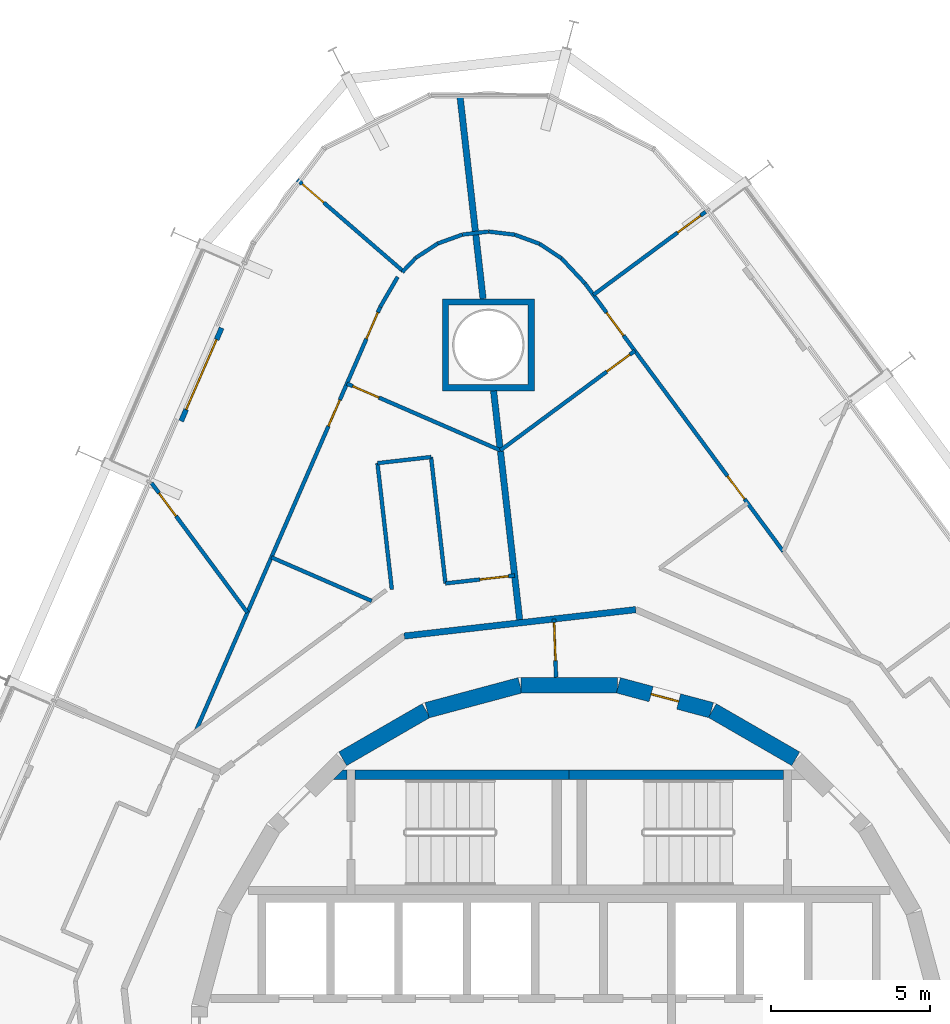
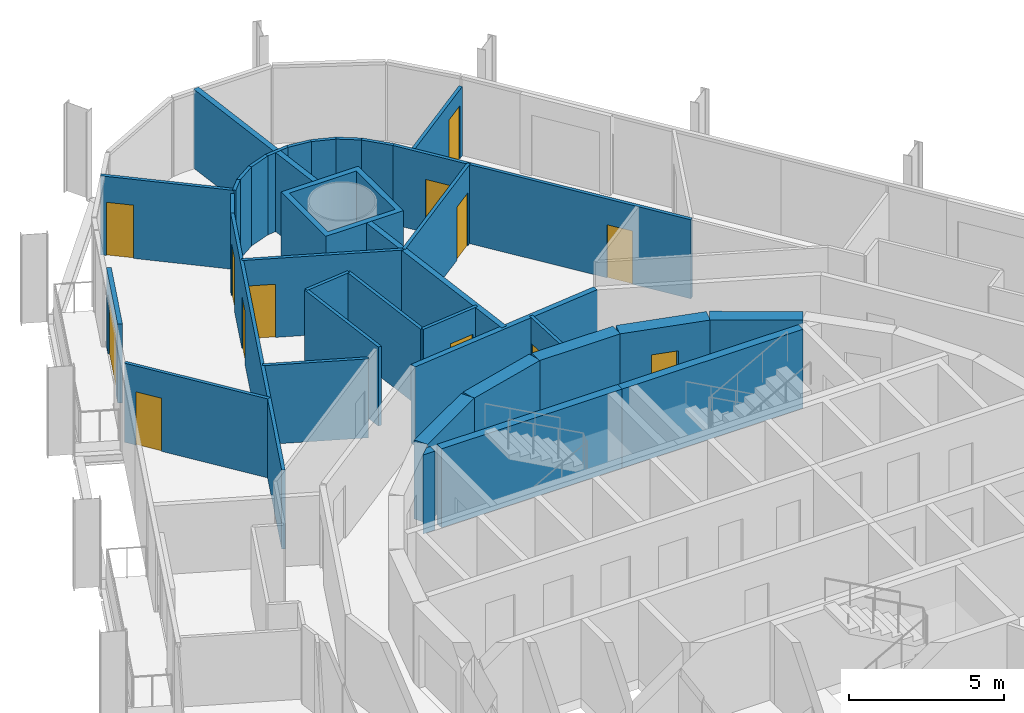
# One storey, part 21 of 24: 35 walls, 13 doors, 13 openings.
"""IFC4 building model written with IfcOpenShell, lengths in metres."""

from ifc_helpers import new_model, si_unit, direction, frame, frame_2d, origin, place, context, subcontext, project, spatial, polyline, rectangle, outline, extrude, material, layer, layer_set, type_object, element, fill, save


model = new_model("IFC4")

# Units and contexts
model_context = context("Model", 3, precision=1e-05, world=origin(), true_north=direction((0.0, 1.0)))
body_context = subcontext(model_context, "Body", "Model", "MODEL_VIEW")
ifc_project = project(units=[si_unit("LENGTHUNIT", "METRE"), si_unit("AREAUNIT", "SQUARE_METRE"), si_unit("VOLUMEUNIT", "CUBIC_METRE"), si_unit("PLANEANGLEUNIT", "RADIAN"), si_unit("MASSUNIT", "GRAM", prefix="KILO")], contexts=[model_context])

# Site, building, storey
site_placement = place(None, origin())
site = spatial("IfcSite", under=ifc_project, at=site_placement, CompositionType="ELEMENT")
building_placement = place(site_placement, origin())
building = spatial("IfcBuilding", under=site, at=building_placement, Name="Spindle Arch Residences", CompositionType="ELEMENT")
storey_placement = place(building_placement, frame((0.0, 0.0, 87.199951171875)))
storey = spatial("IfcBuildingStorey", under=building, at=storey_placement, Name="L20", CompositionType="ELEMENT", Elevation=87.199951171875)

# Wall
ifc_material_1 = material(Name="Concrete C50/60", Category="concrete")
ifc_layer_1 = layer(ifc_material_1, 0.5)
ifc_layer_set_1 = layer_set([ifc_layer_1], Name="Core outline wall 500")
wall_type_1 = type_object("IfcWallType", Name="Core outline wall 500", PredefinedType="SHEAR", material=ifc_layer_set_1)
wall_1_placement = place(storey_placement, frame((7.13671875, 9.32861328125, 0.0), z_axis=(0.0, 0.0, 1.0), x_axis=(-0.865975092491, 0.500087131594, 0.0)))
element("IfcWall", 1, at=wall_1_placement, inside=storey, type_object=wall_type_1, Name="Core outline wall 10", PredefinedType="SHEAR", context=body_context, shape_type="SweptSolid", body=[
    extrude(rectangle(XDim=3.03271484375, YDim=0.5, at=frame_2d((1.516357421875, 0.0))), origin(), (0.0, 0.0, 1.0), 3.1201171875),
])

# Wall, opening, door
wall_2_placement = place(storey_placement, frame((4.479248046875, 10.858154296875, 0.0), z_axis=(0.0, 0.0, 1.0), x_axis=(-0.965948410781, 0.258734743916, 0.0)))
wall_2 = element("IfcWall", 2, at=wall_2_placement, inside=storey, type_object=wall_type_1, Name="Core outline wall 11", PredefinedType="SHEAR", context=body_context, shape_type="SweptSolid", body=[
    extrude(rectangle(XDim=3.03271484375, YDim=0.5, at=frame_2d((1.516357421875, 0.0))), origin(), (0.0, 0.0, 1.0), 3.1201171875),
])
opening_1_placement = place(wall_2_placement, frame((1.066162109375, 0.0, 0.0)))
opening_1 = element("IfcOpeningElement", 3, at=opening_1_placement, cuts=wall_2, Name="Opening R2B1-WD10", PredefinedType="OPENING", context=body_context, shape_type="SweptSolid", body=[
    extrude(rectangle(XDim=0.89990234375, YDim=2.10009765625, at=frame_2d((0.449951171875, 1.050048828125))), frame((0.0, 0.260009765625, 0.0), z_axis=(0.0, -1.0, 0.0), x_axis=(1.0, 0.0, 0.0)), (0.0, 0.0, 1.0), 0.52001953125),
])
ifc_material_2 = material(Name="Steel, fire-resisting door", Category="steel")
door_type_1 = type_object("IfcDoorType", Name="Service room door 900x2100", OperationType="SINGLE_SWING_LEFT", PredefinedType="DOOR", material=ifc_material_2)
door_1_placement = place(opening_1_placement, origin())
door_1 = element("IfcDoor", 4, at=door_1_placement, inside=storey, type_object=door_type_1, Name="Service room door R2B1-WD10", OperationType="SINGLE_SWING_LEFT", OverallHeight=2.10009765625, OverallWidth=0.89990234375, PredefinedType="DOOR", context=body_context, shape_type="SweptSolid", body=[
    extrude(rectangle(XDim=0.89990234375, YDim=2.10009765625, at=frame_2d((0.449951171875, 1.050048828125))), frame((0.0, 0.02490234375, 0.0), z_axis=(0.0, -1.0, 0.0), x_axis=(1.0, 0.0, 0.0)), (0.0, 0.0, 1.0), 0.050048828125),
])
fill(opening_1, door_1)

# Walls
for number, where, z_axis, x_axis, name in (
    (5, (1.516357421875, 11.647216796875, 0.0), (0.0, 0.0, 1.0), (-1.0, 0.0, 0.0), "Core outline wall 12"),
    (6, (-1.5498046875, 11.642822265625, 0.0), (0.0, 0.0, 1.0), (-0.965948410781, -0.258734743916, 0.0), "Core outline wall 13"),
    (7, (-4.510498046875, 10.84521484375, 0.0), (0.0, 0.0, 1.0), (-0.865975092491, -0.500087131594, 0.0), "Core outline wall 14"),
):
    element("IfcWall", number, at=place(storey_placement, frame(where, z_axis=z_axis, x_axis=x_axis)), inside=storey, type_object=wall_type_1, Name=name, PredefinedType="SHEAR", context=body_context, shape_type="SweptSolid", body=[
        extrude(rectangle(XDim=3.03271484375, YDim=0.5, at=frame_2d((1.516357421875, 0.0))), origin(), (0.0, 0.0, 1.0), 3.1201171875),
    ])

# Wall, opening, door
ifc_material_3 = material(Name="Plasterboard on steel studs", Category="steel")
ifc_layer_2 = layer(ifc_material_3, 0.1201171875)
ifc_layer_set_2 = layer_set([ifc_layer_2], Name="Corridor division wall 120")
wall_type_2 = type_object("IfcWallType", Name="Corridor division wall 120", PredefinedType="PARTITIONING", material=ifc_layer_set_2)
wall_3_placement = place(storey_placement, frame((-0.4794921875, 13.73388671875, 0.0), z_axis=(0.0, 0.0, 1.0), x_axis=(0.034805430832, -0.999394107439, 0.0)))
wall_3 = element("IfcWall", 8, at=wall_3_placement, inside=storey, type_object=wall_type_2, Name="Corridor division wall R2B1-W001", PredefinedType="PARTITIONING", context=body_context, shape_type="SweptSolid", body=[
    extrude(rectangle(XDim=1.837890625, YDim=0.1201171875, at=frame_2d((0.9189453125, 0.0))), origin(), (0.0, 0.0, 1.0), 3.1201171875),
])
opening_2_placement = place(wall_3_placement, frame((0.114990234375, 0.0, 0.0)))
opening_2 = element("IfcOpeningElement", 9, at=opening_2_placement, cuts=wall_3, Name="Opening R2B1-CD01", PredefinedType="OPENING", context=body_context, shape_type="SweptSolid", body=[
    extrude(rectangle(XDim=1.199951171875, YDim=2.10009765625, at=frame_2d((0.60009765625, 1.050048828125))), frame((0.0, 0.070068359375, 0.0), z_axis=(0.0, -1.0, 0.0), x_axis=(1.0, 0.0, 0.0)), (0.0, 0.0, 1.0), 0.14013671875),
])
ifc_material_4 = material(Name="Steel, fire-resisting door", Category="steel")
door_type_2 = type_object("IfcDoorType", Name="Corridor division door 1200x2100", OperationType="NOTDEFINED", PredefinedType="DOOR", material=ifc_material_4)
door_2_placement = place(opening_2_placement, origin())
door_2 = element("IfcDoor", 10, at=door_2_placement, inside=storey, type_object=door_type_2, Name="Corridor division door R2B1-CD01", OperationType="DOUBLE_DOOR_SINGLE_SWING", OverallHeight=2.10009765625, OverallWidth=1.199951171875, PredefinedType="DOOR", context=body_context, shape_type="SweptSolid", body=[
    extrude(rectangle(XDim=1.199951171875, YDim=2.10009765625, at=frame_2d((0.60009765625, 1.050048828125))), frame((0.0, 0.02490234375, 0.0), z_axis=(0.0, -1.0, 0.0), x_axis=(1.0, 0.0, 0.0)), (0.0, 0.0, 1.0), 0.050048828125),
])
fill(opening_2, door_2)

# Wall
ifc_material_5 = material(Name="Calcium silicate block, plastered")
ifc_layer_3 = layer(ifc_material_5, 0.199951171875)
ifc_layer_set_3 = layer_set([ifc_layer_3], Name="Corridor wall 200")
wall_type_3 = type_object("IfcWallType", Name="Corridor wall 200", PredefinedType="STANDARD", material=ifc_layer_set_3)
wall_4_placement = place(storey_placement, frame((2.096435546875, 14.027587890625, 0.0), z_axis=(0.0, 0.0, 1.0), x_axis=(-0.993569170114, -0.113226782163, 0.0)))
element("IfcWall", 11, at=wall_4_placement, inside=storey, type_object=wall_type_3, Name="Corridor wall R2B1-W006", PredefinedType="STANDARD", context=body_context, shape_type="SweptSolid", body=[
    extrude(rectangle(XDim=7.341796875, YDim=0.199951171875, at=frame_2d((3.6708984375, 0.0))), origin(), (0.0, 0.0, 1.0), 3.1201171875),
])

# Wall, openings, doors
ifc_material_6 = material(Name="Plasterboard on steel studs", Category="steel")
ifc_layer_4 = layer(ifc_material_6, 0.1201171875)
ifc_layer_set_4 = layer_set([ifc_layer_4], Name="Flat partition 120")
wall_type_4 = type_object("IfcWallType", Name="Flat partition 120", PredefinedType="PARTITIONING", material=ifc_layer_set_4)
wall_5_placement = place(storey_placement, frame((6.745849609375, 15.861572265625, 0.0), z_axis=(0.0, 0.0, 1.0), x_axis=(-0.594822280601, 0.803857235148, 0.0)))
wall_5 = element("IfcWall", 12, at=wall_5_placement, inside=storey, type_object=wall_type_4, Name="Flat partition R2B1-W035", PredefinedType="PARTITIONING", context=body_context, shape_type="SweptSolid", body=[
    extrude(rectangle(XDim=10.50439453125, YDim=0.1201171875, at=frame_2d((5.252197265625, 0.0))), origin(), (0.0, 0.0, 1.0), 3.1201171875),
])
opening_3_placement = place(wall_5_placement, frame((2.055908203125, 0.0, 0.0)))
opening_3 = element("IfcOpeningElement", 13, at=opening_3_placement, cuts=wall_5, Name="Opening R2B1-ID02", PredefinedType="OPENING", context=body_context, shape_type="SweptSolid", body=[
    extrude(rectangle(XDim=0.89990234375, YDim=2.10009765625, at=frame_2d((0.449951171875, 1.050048828125))), frame((0.0, 0.070068359375, 0.0), z_axis=(0.0, -1.0, 0.0), x_axis=(1.0, 0.0, 0.0)), (0.0, 0.0, 1.0), 0.14013671875),
])
opening_4_placement = place(wall_5_placement, frame((8.463623046875, 0.0, 0.0)))
opening_4 = element("IfcOpeningElement", 14, at=opening_4_placement, cuts=wall_5, Name="Opening R2B1-ID06", PredefinedType="OPENING", context=body_context, shape_type="SweptSolid", body=[
    extrude(rectangle(XDim=0.89990234375, YDim=2.10009765625, at=frame_2d((0.449951171875, 1.050048828125))), frame((0.0, 0.070068359375, 0.0), z_axis=(0.0, -1.0, 0.0), x_axis=(1.0, 0.0, 0.0)), (0.0, 0.0, 1.0), 0.14013671875),
])
ifc_material_7 = material(Name="Timber door set", Category="wood")
door_type_3 = type_object("IfcDoorType", Name="Room door 900x2100", OperationType="NOTDEFINED", PredefinedType="DOOR", material=ifc_material_7)
door_3_placement = place(opening_3_placement, origin())
door_3 = element("IfcDoor", 15, at=door_3_placement, inside=storey, type_object=door_type_3, Name="Room door R2B1-ID02", OperationType="SINGLE_SWING_RIGHT", OverallHeight=2.10009765625, OverallWidth=0.89990234375, PredefinedType="DOOR", context=body_context, shape_type="SweptSolid", body=[
    extrude(rectangle(XDim=0.89990234375, YDim=2.10009765625, at=frame_2d((0.449951171875, 1.050048828125))), frame((0.0, 0.02490234375, 0.0), z_axis=(0.0, -1.0, 0.0), x_axis=(1.0, 0.0, 0.0)), (0.0, 0.0, 1.0), 0.050048828125),
])
fill(opening_3, door_3)
door_4_placement = place(opening_4_placement, origin())
door_4 = element("IfcDoor", 16, at=door_4_placement, inside=storey, type_object=door_type_3, Name="Room door R2B1-ID06", OperationType="SINGLE_SWING_LEFT", OverallHeight=2.10009765625, OverallWidth=0.89990234375, PredefinedType="DOOR", context=body_context, shape_type="SweptSolid", body=[
    extrude(rectangle(XDim=0.89990234375, YDim=2.10009765625, at=frame_2d((0.449951171875, 1.050048828125))), frame((0.0, 0.02490234375, 0.0), z_axis=(0.0, -1.0, 0.0), x_axis=(1.0, 0.0, 0.0)), (0.0, 0.0, 1.0), 0.050048828125),
])
fill(opening_4, door_4)

# Wall, opening, door
wall_6_placement = place(storey_placement, frame((2.068359375, 22.182861328125, 0.0), z_axis=(0.0, 0.0, 1.0), x_axis=(-0.803867138365, -0.594808896921, 0.0)))
wall_6 = element("IfcWall", 17, at=wall_6_placement, inside=storey, type_object=wall_type_4, Name="Flat partition R2B1-W036", PredefinedType="PARTITIONING", context=body_context, shape_type="SweptSolid", body=[
    extrude(rectangle(XDim=5.272705078125, YDim=0.1201171875, at=frame_2d((2.63623046875, 0.0))), origin(), (0.0, 0.0, 1.0), 3.1201171875),
])
opening_5_placement = place(wall_6_placement, frame((0.199951171875, 0.0, 0.0)))
opening_5 = element("IfcOpeningElement", 18, at=opening_5_placement, cuts=wall_6, Name="Opening R2B1-ID03", PredefinedType="OPENING", context=body_context, shape_type="SweptSolid", body=[
    extrude(rectangle(XDim=0.89990234375, YDim=2.10009765625, at=frame_2d((0.449951171875, 1.050048828125))), frame((0.0, 0.070068359375, 0.0), z_axis=(0.0, -1.0, 0.0), x_axis=(1.0, 0.0, 0.0)), (0.0, 0.0, 1.0), 0.14013671875),
])
door_5_placement = place(opening_5_placement, origin())
door_5 = element("IfcDoor", 19, at=door_5_placement, inside=storey, type_object=door_type_3, Name="Room door R2B1-ID03", OperationType="SINGLE_SWING_RIGHT", OverallHeight=2.10009765625, OverallWidth=0.89990234375, PredefinedType="DOOR", context=body_context, shape_type="SweptSolid", body=[
    extrude(rectangle(XDim=0.89990234375, YDim=2.10009765625, at=frame_2d((0.449951171875, 1.050048828125))), frame((0.0, 0.02490234375, 0.0), z_axis=(0.0, -1.0, 0.0), x_axis=(1.0, 0.0, 0.0)), (0.0, 0.0, 1.0), 0.050048828125),
])
fill(opening_5, door_5)

# Walls
for number, where, z_axis, x_axis, name in (
    (20, (-3.36181640625, 25.846435546875, 0.0), (0.0, 0.0, 1.0), (0.993548802859, 0.113405362912, 0.0), "Flat partition R2B1-W041"),
    (21, (-2.538330078125, 25.9404296875, 0.0), (0.0, 0.0, 1.0), (0.992894945409, -0.118994232556, 0.0), "Flat partition R2B1-W042"),
    (22, (-1.71533203125, 25.841796875, 0.0), (0.0, 0.0, 1.0), (0.938644465852, -0.344886309856, 0.0), "Flat partition R2B1-W043"),
    (23, (-0.937255859375, 25.555908203125, 0.0), (0.0, 0.0, 1.0), (0.833858440069, -0.551978352769, 0.0), "Flat partition R2B1-W044"),
):
    element("IfcWall", number, at=place(storey_placement, frame(where, z_axis=z_axis, x_axis=x_axis)), inside=storey, type_object=wall_type_4, Name=name, PredefinedType="PARTITIONING", context=body_context, shape_type="SweptSolid", body=[
        extrude(rectangle(XDim=0.828857421875, YDim=0.1201171875, at=frame_2d((0.41455078125, 0.0))), origin(), (0.0, 0.0, 1.0), 3.1201171875),
    ])
wall_7_placement = place(storey_placement, frame((-0.24609375, 25.098388671875, 0.0), z_axis=(0.0, 0.0, 1.0), x_axis=(0.684172712488, -0.729320025426, 0.0)))
element("IfcWall", 24, at=wall_7_placement, inside=storey, type_object=wall_type_4, Name="Flat partition R2B1-W045", PredefinedType="PARTITIONING", context=body_context, shape_type="SweptSolid", body=[
    extrude(rectangle(XDim=1.0869140625, YDim=0.1201171875, at=frame_2d((0.54345703125, 0.0))), origin(), (0.0, 0.0, 1.0), 3.1201171875),
])

# Wall, opening, door
wall_8_placement = place(storey_placement, frame((-1.720703125, 15.102294921875, 0.0), z_axis=(0.0, 0.0, 1.0), x_axis=(-0.993571720958, -0.11320439617, 0.0)))
wall_8 = element("IfcWall", 25, at=wall_8_placement, inside=storey, type_object=wall_type_4, Name="Flat partition R2B1-W046", PredefinedType="PARTITIONING", context=body_context, shape_type="SweptSolid", body=[
    extrude(rectangle(XDim=2.193359375, YDim=0.1201171875, at=frame_2d((1.0966796875, 0.0))), origin(), (0.0, 0.0, 1.0), 3.1201171875),
])
opening_6_placement = place(wall_8_placement, frame((0.199951171875, 0.0, 0.0)))
opening_6 = element("IfcOpeningElement", 26, at=opening_6_placement, cuts=wall_8, Name="Opening R2B1-ID07", PredefinedType="OPENING", context=body_context, shape_type="SweptSolid", body=[
    extrude(rectangle(XDim=0.89990234375, YDim=2.10009765625, at=frame_2d((0.449951171875, 1.050048828125))), frame((0.0, 0.070068359375, 0.0), z_axis=(0.0, -1.0, 0.0), x_axis=(1.0, 0.0, 0.0)), (0.0, 0.0, 1.0), 0.14013671875),
])
door_6_placement = place(opening_6_placement, origin())
door_6 = element("IfcDoor", 27, at=door_6_placement, inside=storey, type_object=door_type_3, Name="Room door R2B1-ID07", OperationType="SINGLE_SWING_LEFT", OverallHeight=2.10009765625, OverallWidth=0.89990234375, PredefinedType="DOOR", context=body_context, shape_type="SweptSolid", body=[
    extrude(rectangle(XDim=0.89990234375, YDim=2.10009765625, at=frame_2d((0.449951171875, 1.050048828125))), frame((0.0, 0.02490234375, 0.0), z_axis=(0.0, -1.0, 0.0), x_axis=(1.0, 0.0, 0.0)), (0.0, 0.0, 1.0), 0.050048828125),
])
fill(opening_6, door_6)

# Walls
wall_9_placement = place(storey_placement, frame((-3.89990234375, 14.85400390625, 0.0), z_axis=(0.0, 0.0, 1.0), x_axis=(-0.113178937308, 0.993574621329, 0.0)))
element("IfcWall", 28, at=wall_9_placement, inside=storey, type_object=wall_type_4, Name="Flat partition R2B1-W047", PredefinedType="PARTITIONING", context=body_context, shape_type="SweptSolid", body=[
    extrude(rectangle(XDim=4.0078125, YDim=0.1201171875, at=frame_2d((2.00390625, 0.0))), origin(), (0.0, 0.0, 1.0), 3.1201171875),
])
wall_10_placement = place(storey_placement, frame((-4.353515625, 18.836181640625, 0.0), z_axis=(0.0, 0.0, 1.0), x_axis=(-0.99355903199, -0.113315709199, 0.0)))
element("IfcWall", 29, at=wall_10_placement, inside=storey, type_object=wall_type_4, Name="Flat partition R2B1-W048", PredefinedType="PARTITIONING", context=body_context, shape_type="SweptSolid", body=[
    extrude(rectangle(XDim=1.699951171875, YDim=0.1201171875, at=frame_2d((0.85009765625, 0.0))), origin(), (0.0, 0.0, 1.0), 3.1201171875),
])
wall_11_placement = place(storey_placement, frame((-6.04248046875, 18.6435546875, 0.0), z_axis=(0.0, 0.0, 1.0), x_axis=(0.113185787648, -0.993573840977, 0.0)))
element("IfcWall", 30, at=wall_11_placement, inside=storey, type_object=wall_type_4, Name="Flat partition R2B1-W049", PredefinedType="PARTITIONING", context=body_context, shape_type="SweptSolid", body=[
    extrude(rectangle(XDim=4.007568359375, YDim=0.1201171875, at=frame_2d((2.00390625, 0.0))), origin(), (0.0, 0.0, 1.0), 3.1201171875),
])
wall_12_placement = place(storey_placement, frame((-5.261474609375, 24.662841796875, 0.0), z_axis=(0.0, 0.0, 1.0), x_axis=(0.688324306424, 0.725403094277, 0.0)))
element("IfcWall", 31, at=wall_12_placement, inside=storey, type_object=wall_type_4, Name="Flat partition R2B1-W052", PredefinedType="PARTITIONING", context=body_context, shape_type="SweptSolid", body=[
    extrude(rectangle(XDim=0.618896484375, YDim=0.1201171875, at=frame_2d((0.3095703125, 0.0))), origin(), (0.0, 0.0, 1.0), 3.1201171875),
])
wall_13_placement = place(storey_placement, frame((-4.83544921875, 25.11181640625, 0.0), z_axis=(0.0, 0.0, 1.0), x_axis=(0.837047461437, 0.547130283664, 0.0)))
element("IfcWall", 32, at=wall_13_placement, inside=storey, type_object=wall_type_4, Name="Flat partition R2B1-W053", PredefinedType="PARTITIONING", context=body_context, shape_type="SweptSolid", body=[
    extrude(rectangle(XDim=0.82861328125, YDim=0.1201171875, at=frame_2d((0.414306640625, 0.0))), origin(), (0.0, 0.0, 1.0), 3.1201171875),
])
wall_14_placement = place(storey_placement, frame((-4.141845703125, 25.565185546875, 0.0), z_axis=(0.0, 0.0, 1.0), x_axis=(0.940718391217, 0.33918860303, 0.0)))
element("IfcWall", 33, at=wall_14_placement, inside=storey, type_object=wall_type_4, Name="Flat partition R2B1-W054", PredefinedType="PARTITIONING", context=body_context, shape_type="SweptSolid", body=[
    extrude(rectangle(XDim=0.8291015625, YDim=0.1201171875, at=frame_2d((0.41455078125, 0.0))), origin(), (0.0, 0.0, 1.0), 3.1201171875),
])

# Wall, opening, door
wall_15_placement = place(storey_placement, frame((-8.56591796875, 27.57275390625, 0.0), z_axis=(0.0, 0.0, 1.0), x_axis=(0.756463964606, -0.654035373854, 0.0)))
wall_15 = element("IfcWall", 34, at=wall_15_placement, inside=storey, type_object=wall_type_4, Name="Flat partition R2B1-W055", PredefinedType="PARTITIONING", context=body_context, shape_type="SweptSolid", body=[
    extrude(rectangle(XDim=4.40478515625, YDim=0.1201171875, at=frame_2d((2.202392578125, 0.0))), origin(), (0.0, 0.0, 1.0), 3.1201171875),
])
opening_7_placement = place(wall_15_placement, frame((0.199951171875, 0.0, 0.0)))
opening_7 = element("IfcOpeningElement", 35, at=opening_7_placement, cuts=wall_15, Name="Opening R2B1-ID10", PredefinedType="OPENING", context=body_context, shape_type="SweptSolid", body=[
    extrude(rectangle(XDim=0.89990234375, YDim=2.10009765625, at=frame_2d((0.449951171875, 1.050048828125))), frame((0.0, 0.070068359375, 0.0), z_axis=(0.0, -1.0, 0.0), x_axis=(1.0, 0.0, 0.0)), (0.0, 0.0, 1.0), 0.14013671875),
])
door_7_placement = place(opening_7_placement, origin())
door_7 = element("IfcDoor", 36, at=door_7_placement, inside=storey, type_object=door_type_3, Name="Room door R2B1-ID10", OperationType="SINGLE_SWING_LEFT", OverallHeight=2.10009765625, OverallWidth=0.89990234375, PredefinedType="DOOR", context=body_context, shape_type="SweptSolid", body=[
    extrude(rectangle(XDim=0.89990234375, YDim=2.10009765625, at=frame_2d((0.449951171875, 1.050048828125))), frame((0.0, 0.02490234375, 0.0), z_axis=(0.0, -1.0, 0.0), x_axis=(1.0, 0.0, 0.0)), (0.0, 0.0, 1.0), 0.050048828125),
])
fill(opening_7, door_7)

wall_16_placement = place(storey_placement, frame((-7.00537109375, 21.149169921875, 0.0), z_axis=(0.0, 0.0, 1.0), x_axis=(0.917050915224, -0.398770132891, 0.0)))
wall_16 = element("IfcWall", 37, at=wall_16_placement, inside=storey, type_object=wall_type_4, Name="Flat partition R2B1-W056", PredefinedType="PARTITIONING", context=body_context, shape_type="SweptSolid", body=[
    extrude(rectangle(XDim=5.2724609375, YDim=0.1201171875, at=frame_2d((2.63623046875, 0.0))), origin(), (0.0, 0.0, 1.0), 3.1201171875),
])
opening_8_placement = place(wall_16_placement, frame((0.199951171875, 0.0, 0.0)))
opening_8 = element("IfcOpeningElement", 38, at=opening_8_placement, cuts=wall_16, Name="Opening R2B1-ID08", PredefinedType="OPENING", context=body_context, shape_type="SweptSolid", body=[
    extrude(rectangle(XDim=0.89990234375, YDim=2.10009765625, at=frame_2d((0.449951171875, 1.050048828125))), frame((0.0, 0.070068359375, 0.0), z_axis=(0.0, -1.0, 0.0), x_axis=(1.0, 0.0, 0.0)), (0.0, 0.0, 1.0), 0.14013671875),
])
door_8_placement = place(opening_8_placement, origin())
door_8 = element("IfcDoor", 39, at=door_8_placement, inside=storey, type_object=door_type_3, Name="Room door R2B1-ID08", OperationType="SINGLE_SWING_LEFT", OverallHeight=2.10009765625, OverallWidth=0.89990234375, PredefinedType="DOOR", context=body_context, shape_type="SweptSolid", body=[
    extrude(rectangle(XDim=0.89990234375, YDim=2.10009765625, at=frame_2d((0.449951171875, 1.050048828125))), frame((0.0, 0.02490234375, 0.0), z_axis=(0.0, -1.0, 0.0), x_axis=(1.0, 0.0, 0.0)), (0.0, 0.0, 1.0), 0.050048828125),
])
fill(opening_8, door_8)

# Wall
wall_17_placement = place(storey_placement, frame((-5.40625, 24.510498046875, 0.0), z_axis=(0.0, 0.0, 1.0), x_axis=(-0.502487709822, -0.864584351858, 0.0)))
element("IfcWall", 40, at=wall_17_placement, inside=storey, type_object=wall_type_4, Name="Flat partition R2B1-W057", PredefinedType="PARTITIONING", context=body_context, shape_type="SweptSolid", body=[
    extrude(rectangle(XDim=1.0869140625, YDim=0.1201171875, at=frame_2d((0.54345703125, 0.0))), origin(), (0.0, 0.0, 1.0), 3.1201171875),
])

# Wall, openings, doors
wall_18_placement = place(storey_placement, frame((-5.952392578125, 23.57080078125, 0.0), z_axis=(0.0, 0.0, 1.0), x_axis=(-0.398745097158, -0.917061801348, 0.0)))
wall_18 = element("IfcWall", 41, at=wall_18_placement, inside=storey, type_object=wall_type_4, Name="Flat partition R2B1-W058", PredefinedType="PARTITIONING", context=body_context, shape_type="SweptSolid", body=[
    extrude(rectangle(XDim=14.576416015625, YDim=0.1201171875, at=frame_2d((7.2880859375, 0.0))), origin(), (0.0, 0.0, 1.0), 3.1201171875),
])
opening_9_placement = place(wall_18_placement, frame((3.20068359375, 0.0, 0.0)))
opening_9 = element("IfcOpeningElement", 42, at=opening_9_placement, cuts=wall_18, Name="Opening R2B1-ID09", PredefinedType="OPENING", context=body_context, shape_type="SweptSolid", body=[
    extrude(rectangle(XDim=0.89990234375, YDim=2.10009765625, at=frame_2d((0.449951171875, 1.050048828125))), frame((0.0, 0.070068359375, 0.0), z_axis=(0.0, -1.0, 0.0), x_axis=(1.0, 0.0, 0.0)), (0.0, 0.0, 1.0), 0.14013671875),
])
opening_10_placement = place(wall_18_placement, frame((0.199951171875, 0.0, 0.0)))
opening_10 = element("IfcOpeningElement", 43, at=opening_10_placement, cuts=wall_18, Name="Opening R2B1-ID12", PredefinedType="OPENING", context=body_context, shape_type="SweptSolid", body=[
    extrude(rectangle(XDim=0.89990234375, YDim=2.10009765625, at=frame_2d((0.449951171875, 1.050048828125))), frame((0.0, 0.070068359375, 0.0), z_axis=(0.0, -1.0, 0.0), x_axis=(1.0, 0.0, 0.0)), (0.0, 0.0, 1.0), 0.14013671875),
])
door_9_placement = place(opening_9_placement, origin())
door_9 = element("IfcDoor", 44, at=door_9_placement, inside=storey, type_object=door_type_3, Name="Room door R2B1-ID09", OperationType="SINGLE_SWING_LEFT", OverallHeight=2.10009765625, OverallWidth=0.89990234375, PredefinedType="DOOR", context=body_context, shape_type="SweptSolid", body=[
    extrude(rectangle(XDim=0.89990234375, YDim=2.10009765625, at=frame_2d((0.449951171875, 1.050048828125))), frame((0.0, 0.02490234375, 0.0), z_axis=(0.0, -1.0, 0.0), x_axis=(1.0, 0.0, 0.0)), (0.0, 0.0, 1.0), 0.050048828125),
])
fill(opening_9, door_9)
door_10_placement = place(opening_10_placement, origin())
door_10 = element("IfcDoor", 45, at=door_10_placement, inside=storey, type_object=door_type_3, Name="Room door R2B1-ID12", OperationType="SINGLE_SWING_RIGHT", OverallHeight=2.10009765625, OverallWidth=0.89990234375, PredefinedType="DOOR", context=body_context, shape_type="SweptSolid", body=[
    extrude(rectangle(XDim=0.89990234375, YDim=2.10009765625, at=frame_2d((0.449951171875, 1.050048828125))), frame((0.0, 0.02490234375, 0.0), z_axis=(0.0, -1.0, 0.0), x_axis=(1.0, 0.0, 0.0)), (0.0, 0.0, 1.0), 0.050048828125),
])
fill(opening_10, door_10)

# Wall
wall_19_placement = place(storey_placement, frame((-9.385009765625, 15.67626953125, 0.0), z_axis=(0.0, 0.0, 1.0), x_axis=(0.917068929701, -0.398728702475, 0.0)))
element("IfcWall", 46, at=wall_19_placement, inside=storey, type_object=wall_type_4, Name="Flat partition R2B1-W059", PredefinedType="PARTITIONING", context=body_context, shape_type="SweptSolid", body=[
    extrude(rectangle(XDim=3.4453125, YDim=0.1201171875, at=frame_2d((1.72265625, 0.0))), origin(), (0.0, 0.0, 1.0), 3.1201171875),
])

# Wall, opening, door
wall_20_placement = place(storey_placement, frame((-13.1630859375, 18.021728515625, 0.0), z_axis=(0.0, 0.0, 1.0), x_axis=(0.594797671626, -0.803875444226, 0.0)))
wall_20 = element("IfcWall", 47, at=wall_20_placement, inside=storey, type_object=wall_type_4, Name="Flat partition R2B1-W060", PredefinedType="PARTITIONING", context=body_context, shape_type="SweptSolid", body=[
    extrude(rectangle(XDim=5.08056640625, YDim=0.1201171875, at=frame_2d((2.540283203125, 0.0))), origin(), (0.0, 0.0, 1.0), 3.1201171875),
])
opening_11_placement = place(wall_20_placement, frame((0.39990234375, 0.0, 0.0)))
opening_11 = element("IfcOpeningElement", 48, at=opening_11_placement, cuts=wall_20, Name="Opening R2B1-ID11", PredefinedType="OPENING", context=body_context, shape_type="SweptSolid", body=[
    extrude(rectangle(XDim=0.89990234375, YDim=2.10009765625, at=frame_2d((0.449951171875, 1.050048828125))), frame((0.0, 0.070068359375, 0.0), z_axis=(0.0, -1.0, 0.0), x_axis=(1.0, 0.0, 0.0)), (0.0, 0.0, 1.0), 0.14013671875),
])
door_11_placement = place(opening_11_placement, origin())
door_11 = element("IfcDoor", 49, at=door_11_placement, inside=storey, type_object=door_type_3, Name="Room door R2B1-ID11", OperationType="SINGLE_SWING_RIGHT", OverallHeight=2.10009765625, OverallWidth=0.89990234375, PredefinedType="DOOR", context=body_context, shape_type="SweptSolid", body=[
    extrude(rectangle(XDim=0.89990234375, YDim=2.10009765625, at=frame_2d((0.449951171875, 1.050048828125))), frame((0.0, 0.02490234375, 0.0), z_axis=(0.0, -1.0, 0.0), x_axis=(1.0, 0.0, 0.0)), (0.0, 0.0, 1.0), 0.050048828125),
])
fill(opening_11, door_11)

ifc_material_8 = material(Name="Plasterboard on steel studs", Category="steel")
ifc_layer_5 = layer(ifc_material_8, 0.1201171875)
ifc_layer_set_5 = layer_set([ifc_layer_5], Name="Flat partition 120 under beam 2730")
wall_type_5 = type_object("IfcWallType", Name="Flat partition 120 under beam 2730", PredefinedType="PARTITIONING", material=ifc_layer_set_5)
wall_21_placement = place(storey_placement, frame((4.29931640625, 26.56494140625, 0.0), z_axis=(0.0, 0.0, 1.0), x_axis=(-0.803851981262, -0.594829380764, 0.0)))
wall_21 = element("IfcWall", 50, at=wall_21_placement, inside=storey, type_object=wall_type_5, Name="Flat partition R2B1-W040", PredefinedType="PARTITIONING", context=body_context, shape_type="SweptSolid", body=[
    extrude(rectangle(XDim=4.39990234375, YDim=0.1201171875, at=frame_2d((2.199951171875, 0.0))), origin(), (0.0, 0.0, 1.0), 2.72998046875),
])
opening_12_placement = place(wall_21_placement, frame((0.199951171875, 0.0, 0.0)))
opening_12 = element("IfcOpeningElement", 51, at=opening_12_placement, cuts=wall_21, Name="Opening R2B1-ID05", PredefinedType="OPENING", context=body_context, shape_type="SweptSolid", body=[
    extrude(rectangle(XDim=0.89990234375, YDim=2.10009765625, at=frame_2d((0.449951171875, 1.050048828125))), frame((0.0, 0.070068359375, 0.0), z_axis=(0.0, -1.0, 0.0), x_axis=(1.0, 0.0, 0.0)), (0.0, 0.0, 1.0), 0.14013671875),
])
door_12_placement = place(opening_12_placement, origin())
door_12 = element("IfcDoor", 52, at=door_12_placement, inside=storey, type_object=door_type_3, Name="Room door R2B1-ID05", OperationType="SINGLE_SWING_RIGHT", OverallHeight=2.10009765625, OverallWidth=0.89990234375, PredefinedType="DOOR", context=body_context, shape_type="SweptSolid", body=[
    extrude(rectangle(XDim=0.89990234375, YDim=2.10009765625, at=frame_2d((0.449951171875, 1.050048828125))), frame((0.0, 0.02490234375, 0.0), z_axis=(0.0, -1.0, 0.0), x_axis=(1.0, 0.0, 0.0)), (0.0, 0.0, 1.0), 0.050048828125),
])
fill(opening_12, door_12)

# Walls
ifc_material_9 = material(Name="Calcium silicate block, plastered")
ifc_layer_6 = layer(ifc_material_9, 0.199951171875)
ifc_layer_set_6 = layer_set([ifc_layer_6], Name="Flat party wall 200")
wall_type_6 = type_object("IfcWallType", Name="Flat party wall 200", PredefinedType="STANDARD", material=ifc_layer_set_6)
wall_22_placement = place(storey_placement, frame((-2.383544921875, 20.92041015625, 0.0), z_axis=(0.0, 0.0, 1.0), x_axis=(0.113210540889, -0.993571020829, 0.0)))
element("IfcWall", 53, at=wall_22_placement, inside=storey, type_object=wall_type_6, Name="Flat party wall R2B1-W016", PredefinedType="STANDARD", context=body_context, shape_type="SweptSolid", body=[
    extrude(rectangle(XDim=7.35595703125, YDim=0.199951171875, at=frame_2d((3.677978515625, 0.0))), origin(), (0.0, 0.0, 1.0), 3.1201171875),
])
wall_23_placement = place(storey_placement, frame((-3.4482421875, 30.26513671875, 0.0), z_axis=(0.0, 0.0, 1.0), x_axis=(0.113178237968, -0.993574700992, 0.0)))
element("IfcWall", 54, at=wall_23_placement, inside=storey, type_object=wall_type_6, Name="Flat party wall R2B1-W019", PredefinedType="STANDARD", context=body_context, shape_type="SweptSolid", body=[
    extrude(rectangle(XDim=6.486572265625, YDim=0.199951171875, at=frame_2d((3.2431640625, 0.0))), origin(), (0.0, 0.0, 1.0), 3.1201171875),
])

# Wall, opening, door
ifc_material_10 = material(Name="Non-combustible mineral wool insulated aluminium faced external wall (K0)", Category="aluminium")
ifc_layer_7 = layer(ifc_material_10, 0.159912109375)
ifc_layer_set_7 = layer_set([ifc_layer_7], Name="Insulated external wall panel 160")
wall_type_7 = type_object("IfcWallType", Name="Insulated external wall panel 160", PredefinedType="STANDARD", material=ifc_layer_set_7)
wall_24_placement = place(storey_placement, frame((-10.95263671875, 22.90478515625, 0.0), z_axis=(0.0, 0.0, 1.0), x_axis=(-0.398784695066, -0.917044582876, 0.0)))
wall_24 = element("IfcWall", 55, at=wall_24_placement, inside=storey, type_object=wall_type_7, Name="External wall L20 bay 14", PredefinedType="STANDARD", context=body_context, shape_type="SweptSolid", body=[
    extrude(rectangle(XDim=3.199951171875, YDim=0.159912109375, at=frame_2d((1.60009765625, 0.0))), origin(), (0.0, 0.0, 1.0), 3.1201171875),
])
opening_13_placement = place(wall_24_placement, frame((0.39990234375, 0.0, 0.0)))
opening_13 = element("IfcOpeningElement", 56, at=opening_13_placement, cuts=wall_24, Name="Opening BD14", PredefinedType="OPENING", context=body_context, shape_type="SweptSolid", body=[
    extrude(rectangle(XDim=2.39990234375, YDim=2.39990234375, at=frame_2d((1.199951171875, 1.199951171875))), frame((0.0, 0.08984375, 0.0), z_axis=(0.0, -1.0, 0.0), x_axis=(1.0, 0.0, 0.0)), (0.0, 0.0, 1.0), 0.179931640625),
])
ifc_material_11 = material(Name="Bronze aluminium frame, tinted double glazing", Category="aluminium")
door_type_4 = type_object("IfcDoorType", Name="Sliding glazed balcony door 2400x2400", OperationType="DOUBLE_DOOR_SLIDING", PredefinedType="DOOR", material=ifc_material_11)
door_13_placement = place(opening_13_placement, origin())
door_13 = element("IfcDoor", 57, at=door_13_placement, inside=storey, type_object=door_type_4, Name="Balcony door BD14", OperationType="DOUBLE_DOOR_SLIDING", OverallHeight=2.39990234375, OverallWidth=2.39990234375, PredefinedType="DOOR", context=body_context, shape_type="SweptSolid", body=[
    extrude(rectangle(XDim=2.39990234375, YDim=2.39990234375, at=frame_2d((1.199951171875, 1.199951171875))), frame((0.0, 0.02490234375, 0.0), z_axis=(0.0, -1.0, 0.0), x_axis=(1.0, 0.0, 0.0)), (0.0, 0.0, 1.0), 0.050048828125),
])
fill(opening_13, door_13)

# Walls
ifc_material_12 = material(Name="Calcium silicate block, plastered")
ifc_layer_8 = layer(ifc_material_12, 0.199951171875)
ifc_layer_set_8 = layer_set([ifc_layer_8], Name="Mega-column casing wall 200")
wall_type_8 = type_object("IfcWallType", Name="Mega-column casing wall 200", PredefinedType="STANDARD", material=ifc_layer_set_8)
wall_25_placement = place(storey_placement, origin())
element("IfcWall", 58, at=wall_25_placement, inside=storey, type_object=wall_type_8, Name="Mega-column casing wall R2B1-WC01", PredefinedType="STANDARD", context=body_context, shape_type="SweptSolid", body=[
    extrude(outline(polyline([(-1.098876953125, 23.8203125), (-1.098876953125, 20.92041015625), (-3.998779296875, 20.92041015625), (-3.998779296875, 23.8203125), (-1.098876953125, 23.8203125)]), holes=[polyline([(-3.798828125, 21.120361328125), (-1.298828125, 21.120361328125), (-1.298828125, 23.620361328125), (-3.798828125, 23.620361328125), (-3.798828125, 21.120361328125)])]), origin(), (0.0, 0.0, 1.0), 3.1201171875),
])
ifc_material_13 = material(Name="Concrete C40/50", Category="concrete")
wall_type_9 = type_object("IfcWallType", Name="Stair airlock wall profile", PredefinedType="SHEAR", material=ifc_material_13)
wall_26_placement = place(storey_placement, origin())
element("IfcWall", 59, at=wall_26_placement, inside=storey, type_object=wall_type_9, Name="Stair ST-2 airlock wall N", PredefinedType="SHEAR", context=body_context, shape_type="SweptSolid", body=[
    extrude(outline(polyline([(-7.148193359375, 8.969970703125), (-7.0, 8.969970703125), (-7.0, 8.669921875), (-7.4482421875, 8.669921875), (-7.148193359375, 8.969970703125)])), origin(), (0.0, 0.0, 1.0), 3.1201171875),
])
ifc_material_14 = material(Name="Concrete C50/60", Category="concrete")
ifc_layer_9 = layer(ifc_material_14, 0.300048828125)
ifc_layer_set_9 = layer_set([ifc_layer_9], Name="Stair enclosure wall 300")
wall_type_10 = type_object("IfcWallType", Name="Stair enclosure wall 300", PredefinedType="SHEAR", material=ifc_layer_set_9)
for number, where, z_axis, x_axis, name in (
    (60, (0.0, 8.820068359375, 0.0), (0.0, 0.0, 1.0), (1.0, 0.0, 0.0), "Stair ST-1 enclosure wall N"),
    (61, (-6.75, 8.820068359375, 0.0), (0.0, 0.0, 1.0), (1.0, 0.0, 0.0), "Stair ST-2 enclosure wall N"),
):
    element("IfcWall", number, at=place(storey_placement, frame(where, z_axis=z_axis, x_axis=x_axis)), inside=storey, type_object=wall_type_10, Name=name, PredefinedType="SHEAR", context=body_context, shape_type="SweptSolid", body=[
        extrude(rectangle(XDim=6.75, YDim=0.300048828125, at=frame_2d((3.375, 0.0))), origin(), (0.0, 0.0, 1.0), 3.1201171875),
    ])

save(model, "model.ifc")
